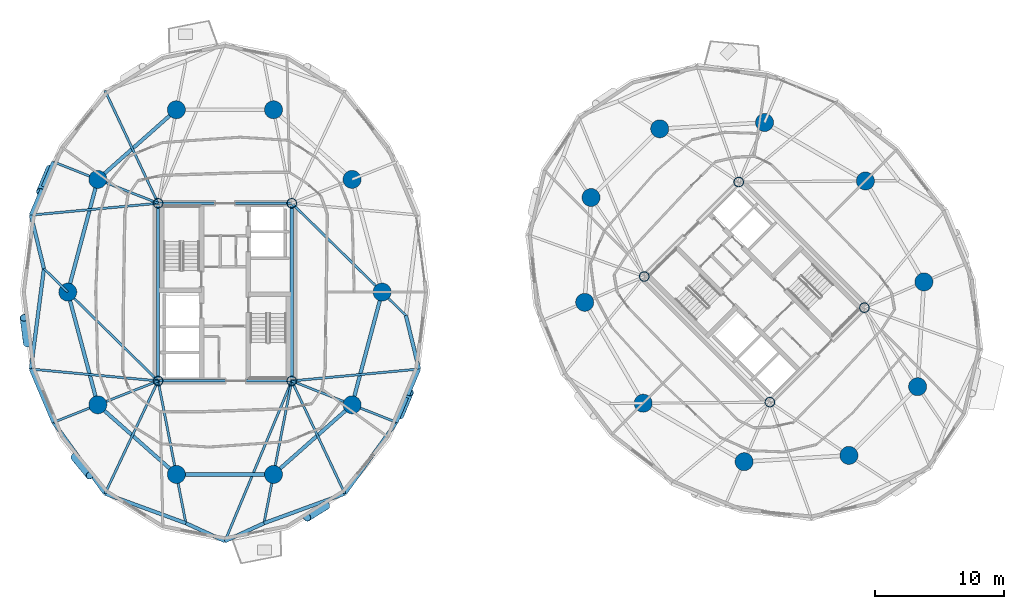
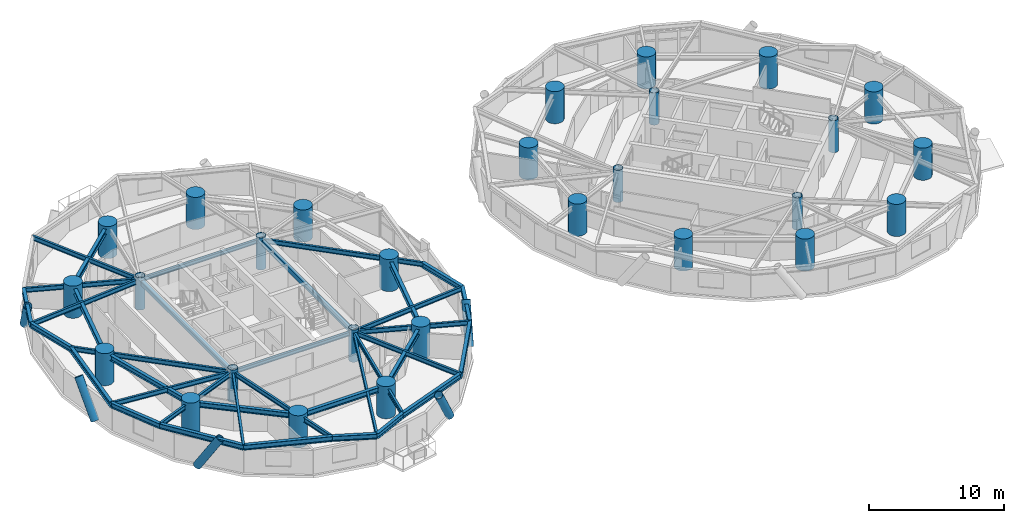
# One storey, part 1 of 18: 38 beams, 28 columns, 5 members.
"""IFC4 building model written with IfcOpenShell, lengths in metres."""

from ifc_helpers import new_model, si_unit, direction, frame, origin, origin_2d, place, context, subcontext, project, spatial, hollow_rectangle, circle, hollow_circle, i_section, extrude, material, material_profile, profile_set, type_object, element, save


model = new_model("IFC4")

# Units and contexts
model_context = context("Model", 3, precision=1e-05, world=origin(), true_north=direction((0.0, 1.0)))
body_context = subcontext(model_context, "Body", "Model", "MODEL_VIEW")
ifc_project = project(units=[si_unit("LENGTHUNIT", "METRE"), si_unit("AREAUNIT", "SQUARE_METRE"), si_unit("VOLUMEUNIT", "CUBIC_METRE"), si_unit("PLANEANGLEUNIT", "RADIAN"), si_unit("MASSUNIT", "GRAM", prefix="KILO")], contexts=[model_context])

# Site, building, storey
site_placement = place(None, origin())
site = spatial("IfcSite", under=ifc_project, at=site_placement, CompositionType="ELEMENT")
building_placement = place(site_placement, origin())
building = spatial("IfcBuilding", under=site, at=building_placement, Name="Cununo Teusaquillo Station Towers", CompositionType="ELEMENT")
storey_placement = place(building_placement, frame((0.0, 0.0, 87.610107421875)))
storey = spatial("IfcBuildingStorey", under=building, at=storey_placement, Name="L27", CompositionType="ELEMENT", Elevation=87.610107421875)

# Columns
ifc_material_1 = material(Name="Steel EN 10025-2 S355J2", Category="steel")
ifc_material_profile_1 = material_profile(ifc_material_1, hollow_circle(Radius=0.3798828125, WallThickness=0.031982421875, at=origin_2d()), Name="CHS 760x32")
ifc_profile_set_1 = profile_set([ifc_material_profile_1], Name="Steel EN 10025-2 S355J2")
column_type_1 = type_object("IfcColumnType", Name="COL-CORE-Z2", PredefinedType="COLUMN", material=ifc_profile_set_1)
for number, where, z_axis, x_axis, name in (
    (1, (11.324951171875, 17.6201171875, 0.0), (0.0, 0.0, 1.0), (1.0, 0.0, 0.0), "L27 Tower A Core Column 1"),
    (2, (11.324951171875, 31.3798828125, 0.0), (0.0, 0.0, 1.0), (1.0, 0.0, 0.0), "L27 Tower A Core Column 2"),
    (3, (21.675048828125, 17.6201171875, 0.0), (0.0, 0.0, 1.0), (1.0, 0.0, 0.0), "L27 Tower A Core Column 3"),
    (4, (21.675048828125, 31.3798828125, 0.0), (0.0, 0.0, 1.0), (1.0, 0.0, 0.0), "L27 Tower A Core Column 4"),
    (5, (58.70556640625, 15.975830078125, 0.0), (0.0, 0.0, 1.0), (0.707106781187, 0.707106781187, 0.0), "L27 Tower B Core Column 1"),
    (6, (48.975830078125, 25.70556640625, 0.0), (0.0, 0.0, 1.0), (0.707106781187, 0.707106781187, 0.0), "L27 Tower B Core Column 2"),
    (7, (66.024169921875, 23.29443359375, 0.0), (0.0, 0.0, 1.0), (0.707106781187, 0.707106781187, 0.0), "L27 Tower B Core Column 3"),
    (8, (56.29443359375, 33.024169921875, 0.0), (0.0, 0.0, 1.0), (0.707106781187, 0.707106781187, 0.0), "L27 Tower B Core Column 4"),
):
    element("IfcColumn", number, at=place(storey_placement, frame(where, z_axis=z_axis, x_axis=x_axis)), inside=storey, type_object=column_type_1, Name=name, PredefinedType="COLUMN", context=body_context, shape_type="SweptSolid", body=[
        extrude(hollow_circle(Radius=0.3798828125, WallThickness=0.031982421875, at=origin_2d()), origin(), (0.0, 0.0, 1.0), 2.909912109375),
    ])
ifc_material_2 = material(Name="Concrete C60/75", Category="concrete")
ifc_material_profile_2 = material_profile(ifc_material_2, circle(Radius=0.699951171875, at=origin_2d()), Name="RC-CIRC-1400")
ifc_profile_set_2 = profile_set([ifc_material_profile_2], Name="Concrete C60/75")
column_type_2 = type_object("IfcColumnType", Name="COL-MEGA-Z2", PredefinedType="USERDEFINED", material=ifc_profile_set_2)
for number, where, z_axis, x_axis, name in (
    (9, (28.672119140625, 24.5, 0.0), (0.0, 0.0, 1.0), (1.0, 0.0, 0.0), "L27 Tower A Perimeter Column V00"),
    (10, (26.347412109375, 33.228515625, 0.0), (0.0, 0.0, 1.0), (1.0, 0.0, 0.0), "L27 Tower A Perimeter Column V02"),
    (11, (20.261474609375, 38.623291015625, 0.0), (0.0, 0.0, 1.0), (1.0, 0.0, 0.0), "L27 Tower A Perimeter Column V04"),
    (12, (12.738525390625, 38.623291015625, 0.0), (0.0, 0.0, 1.0), (1.0, 0.0, 0.0), "L27 Tower A Perimeter Column V06"),
    (13, (6.652587890625, 33.228515625, 0.0), (0.0, 0.0, 1.0), (1.0, 0.0, 0.0), "L27 Tower A Perimeter Column V08"),
    (14, (4.327880859375, 24.5, 0.0), (0.0, 0.0, 1.0), (1.0, 0.0, 0.0), "L27 Tower A Perimeter Column V10"),
    (15, (6.652587890625, 15.771484375, 0.0), (0.0, 0.0, 1.0), (1.0, 0.0, 0.0), "L27 Tower A Perimeter Column V12"),
    (16, (12.738525390625, 10.376708984375, 0.0), (0.0, 0.0, 1.0), (1.0, 0.0, 0.0), "L27 Tower A Perimeter Column V14"),
    (17, (20.261474609375, 10.376708984375, 0.0), (0.0, 0.0, 1.0), (1.0, 0.0, 0.0), "L27 Tower A Perimeter Column V16"),
    (18, (26.347412109375, 15.771484375, 0.0), (0.0, 0.0, 1.0), (1.0, 0.0, 0.0), "L27 Tower A Perimeter Column V18"),
    (19, (66.10693359375, 33.10693359375, 0.0), (0.0, 0.0, 1.0), (1.0, 0.0, 0.0), "L27 Tower B Perimeter Column V00"),
    (20, (58.291015625, 37.63525390625, 0.0), (0.0, 0.0, 1.0), (1.0, 0.0, 0.0), "L27 Tower B Perimeter Column V02"),
    (21, (50.173095703125, 37.146240234375, 0.0), (0.0, 0.0, 1.0), (1.0, 0.0, 0.0), "L27 Tower B Perimeter Column V04"),
    (22, (44.853759765625, 31.826904296875, 0.0), (0.0, 0.0, 1.0), (1.0, 0.0, 0.0), "L27 Tower B Perimeter Column V06"),
    (23, (44.36474609375, 23.708984375, 0.0), (0.0, 0.0, 1.0), (1.0, 0.0, 0.0), "L27 Tower B Perimeter Column V08"),
    (24, (48.89306640625, 15.89306640625, 0.0), (0.0, 0.0, 1.0), (1.0, 0.0, 0.0), "L27 Tower B Perimeter Column V10"),
    (25, (56.708984375, 11.36474609375, 0.0), (0.0, 0.0, 1.0), (1.0, 0.0, 0.0), "L27 Tower B Perimeter Column V12"),
    (26, (64.826904296875, 11.853759765625, 0.0), (0.0, 0.0, 1.0), (1.0, 0.0, 0.0), "L27 Tower B Perimeter Column V14"),
    (27, (70.146240234375, 17.173095703125, 0.0), (0.0, 0.0, 1.0), (1.0, 0.0, 0.0), "L27 Tower B Perimeter Column V16"),
    (28, (70.63525390625, 25.291015625, 0.0), (0.0, 0.0, 1.0), (1.0, 0.0, 0.0), "L27 Tower B Perimeter Column V18"),
):
    element("IfcColumn", number, at=place(storey_placement, frame(where, z_axis=z_axis, x_axis=x_axis)), inside=storey, type_object=column_type_2, Name=name, ObjectType="MEGA COLUMN", PredefinedType="USERDEFINED", context=body_context, shape_type="SweptSolid", body=[
        extrude(circle(Radius=0.699951171875, at=origin_2d()), origin(), (0.0, 0.0, 1.0), 2.909912109375),
    ])

# Beams
ifc_material_3 = material(Name="Steel EN 10025-2 S355J2", Category="steel")
ifc_material_profile_3 = material_profile(ifc_material_3, hollow_rectangle(XDim=0.25, YDim=0.449951171875, WallThickness=0.01611328125, at=origin_2d()), Name="RHS 450x250x16")
ifc_profile_set_3 = profile_set([ifc_material_profile_3], Name="Steel EN 10025-2 S355J2")
beam_type_1 = type_object("IfcBeamType", Name="BM-COUP-1", PredefinedType="USERDEFINED", material=ifc_profile_set_3)
for number, where, z_axis, x_axis, name in (
    (29, (11.324951171875, 17.6201171875, 2.44482421875), (0.0, 1.0, 0.0), (-1.0, 0.0, 0.0), "L27 Tower A Core Beam 1"),
    (30, (21.675048828125, 17.6201171875, 2.44482421875), (0.0, 1.0, 0.0), (-1.0, 0.0, 0.0), "L27 Tower A Core Beam 2"),
):
    element("IfcBeam", number, at=place(storey_placement, frame(where, z_axis=z_axis, x_axis=x_axis)), inside=storey, type_object=beam_type_1, Name=name, ObjectType="COUPLING BEAM", PredefinedType="USERDEFINED", context=body_context, shape_type="SweptSolid", body=[
        extrude(hollow_rectangle(XDim=0.25, YDim=0.449951171875, WallThickness=0.01611328125, at=origin_2d()), origin(), (0.0, 0.0, 1.0), 13.759765625),
    ])
ifc_material_4 = material(Name="Steel ASTM A572 Grade 50", Category="steel")
ifc_material_profile_4 = material_profile(ifc_material_4, i_section(OverallWidth=0.180908203125, OverallDepth=0.4169921875, WebThickness=0.010986328125, FlangeThickness=0.018310546875, FilletRadius=0.012939453125, at=origin_2d()), Name="W16X57")
ifc_profile_set_4 = profile_set([ifc_material_profile_4], Name="Steel ASTM A572 Grade 50")
beam_type_2 = type_object("IfcBeamType", Name="BM-JOIST-1", PredefinedType="JOIST", material=ifc_profile_set_4)
beam_1_placement = place(storey_placement, frame((11.324951171875, 31.3798828125, 2.46142578125), z_axis=(-0.426319838016, 0.904572493344, 0.0), x_axis=(-0.904572493344, -0.426319838016, 0.0)))
element("IfcBeam", 31, at=beam_1_placement, inside=storey, type_object=beam_type_2, Name="L27 Tower A Radial Spandrel Joist V07", PredefinedType="JOIST", context=body_context, shape_type="SweptSolid", body=[
    extrude(i_section(OverallWidth=0.180908203125, OverallDepth=0.4169921875, WebThickness=0.010986328125, FlangeThickness=0.018310546875, FilletRadius=0.012939453125, at=origin_2d()), origin(), (0.0, 0.0, 1.0), 9.646728515625),
])
for number, where, z_axis, x_axis, name in (
    (32, (11.324951171875, 31.3798828125, 2.46142578125), (-0.995678537907, -0.09286683558, 0.0), (0.09286683558, -0.995678537907, 0.0), "L27 Tower A Radial Spandrel Joist V09"),
    (33, (11.324951171875, 17.6201171875, 2.46142578125), (-0.995678537907, 0.09286683558, 0.0), (-0.09286683558, -0.995678537907, 0.0), "L27 Tower A Radial Spandrel Joist V11"),
):
    element("IfcBeam", number, at=place(storey_placement, frame(where, z_axis=z_axis, x_axis=x_axis)), inside=storey, type_object=beam_type_2, Name=name, PredefinedType="JOIST", context=body_context, shape_type="SweptSolid", body=[
        extrude(i_section(OverallWidth=0.180908203125, OverallDepth=0.4169921875, WebThickness=0.010986328125, FlangeThickness=0.018310546875, FilletRadius=0.012939453125, at=origin_2d()), origin(), (0.0, 0.0, 1.0), 9.895263671875),
    ])
beam_2_placement = place(storey_placement, frame((11.324951171875, 17.6201171875, 2.46142578125), z_axis=(-0.426319838016, -0.904572493344, 0.0), x_axis=(0.904572493344, -0.426319838016, 0.0)))
element("IfcBeam", 34, at=beam_2_placement, inside=storey, type_object=beam_type_2, Name="L27 Tower A Radial Spandrel Joist V13", PredefinedType="JOIST", context=body_context, shape_type="SweptSolid", body=[
    extrude(i_section(OverallWidth=0.180908203125, OverallDepth=0.4169921875, WebThickness=0.010986328125, FlangeThickness=0.018310546875, FilletRadius=0.012939453125, at=origin_2d()), origin(), (0.0, 0.0, 1.0), 9.646728515625),
])
beam_3_placement = place(storey_placement, frame((21.675048828125, 17.6201171875, 2.46142578125), z_axis=(-0.38487837995, -0.922967297713, 0.0), x_axis=(0.922967297713, -0.38487837995, 0.0)))
element("IfcBeam", 35, at=beam_3_placement, inside=storey, type_object=beam_type_2, Name="L27 Tower A Radial Spandrel Joist V15", PredefinedType="JOIST", context=body_context, shape_type="SweptSolid", body=[
    extrude(i_section(OverallWidth=0.180908203125, OverallDepth=0.4169921875, WebThickness=0.010986328125, FlangeThickness=0.018310546875, FilletRadius=0.012939453125, at=origin_2d()), origin(), (0.0, 0.0, 1.0), 13.446044921875),
])
beam_4_placement = place(storey_placement, frame((21.675048828125, 17.6201171875, 2.46142578125), z_axis=(0.426319838016, -0.904572493344, 0.0), x_axis=(0.904572493344, 0.426319838016, 0.0)))
element("IfcBeam", 36, at=beam_4_placement, inside=storey, type_object=beam_type_2, Name="L27 Tower A Radial Spandrel Joist V17", PredefinedType="JOIST", context=body_context, shape_type="SweptSolid", body=[
    extrude(i_section(OverallWidth=0.180908203125, OverallDepth=0.4169921875, WebThickness=0.010986328125, FlangeThickness=0.018310546875, FilletRadius=0.012939453125, at=origin_2d()), origin(), (0.0, 0.0, 1.0), 9.646728515625),
])
beam_5_placement = place(storey_placement, frame((21.675048828125, 17.6201171875, 2.46142578125), z_axis=(0.995678537907, 0.09286683558, 0.0), x_axis=(-0.09286683558, 0.995678537907, 0.0)))
element("IfcBeam", 37, at=beam_5_placement, inside=storey, type_object=beam_type_2, Name="L27 Tower A Radial Spandrel Joist V19", PredefinedType="JOIST", context=body_context, shape_type="SweptSolid", body=[
    extrude(i_section(OverallWidth=0.180908203125, OverallDepth=0.4169921875, WebThickness=0.010986328125, FlangeThickness=0.018310546875, FilletRadius=0.012939453125, at=origin_2d()), origin(), (0.0, 0.0, 1.0), 9.895263671875),
])
ifc_material_5 = material(Name="Steel ASTM A572 Grade 50", Category="steel")
ifc_material_profile_5 = material_profile(ifc_material_5, i_section(OverallWidth=0.2041015625, OverallDepth=0.35009765625, WebThickness=0.008544921875, FlangeThickness=0.01513671875, FilletRadius=0.011962890625, at=origin_2d()), Name="W14X48")
ifc_profile_set_5 = profile_set([ifc_material_profile_5], Name="Steel ASTM A572 Grade 50")
beam_type_3 = type_object("IfcBeamType", Name="BM-LINTEL-1", PredefinedType="LINTEL", material=ifc_profile_set_5)
for number, where, z_axis, x_axis, name in (
    (38, (11.324951171875, 17.6201171875, 2.494873046875), (1.0, 0.0, 0.0), (0.0, 1.0, 0.0), "L27 Tower A Core Beam 3"),
    (39, (11.324951171875, 31.3798828125, 2.494873046875), (1.0, 0.0, 0.0), (0.0, 1.0, 0.0), "L27 Tower A Core Beam 4"),
):
    element("IfcBeam", number, at=place(storey_placement, frame(where, z_axis=z_axis, x_axis=x_axis)), inside=storey, type_object=beam_type_3, Name=name, PredefinedType="LINTEL", context=body_context, shape_type="SweptSolid", body=[
        extrude(i_section(OverallWidth=0.2041015625, OverallDepth=0.35009765625, WebThickness=0.008544921875, FlangeThickness=0.01513671875, FilletRadius=0.011962890625, at=origin_2d()), origin(), (0.0, 0.0, 1.0), 10.35009765625),
    ])
ifc_material_6 = material(Name="Steel ASTM A572 Grade 50", Category="steel")
ifc_material_profile_6 = material_profile(ifc_material_6, i_section(OverallWidth=0.180908203125, OverallDepth=0.4169921875, WebThickness=0.010986328125, FlangeThickness=0.018310546875, FilletRadius=0.012939453125, at=origin_2d()), Name="W16X57")
ifc_profile_set_6 = profile_set([ifc_material_profile_6], Name="Steel ASTM A572 Grade 50")
beam_type_4 = type_object("IfcBeamType", Name="BM-RAD-G2", PredefinedType="BEAM", material=ifc_profile_set_6)
beam_6_placement = place(storey_placement, frame((21.675048828125, 31.3798828125, 2.46142578125), z_axis=(0.713047137857, -0.701116095375, 0.0), x_axis=(0.701116095375, 0.713047137857, 0.0)))
element("IfcBeam", 40, at=beam_6_placement, inside=storey, type_object=beam_type_4, Name="L27 Tower A Continuous Overhanging Radial Girder 01", PredefinedType="BEAM", context=body_context, shape_type="SweptSolid", body=[
    extrude(i_section(OverallWidth=0.180908203125, OverallDepth=0.4169921875, WebThickness=0.010986328125, FlangeThickness=0.018310546875, FilletRadius=0.012939453125, at=origin_2d()), origin(), (0.0, 0.0, 1.0), 12.400390625),
])
beam_7_placement = place(storey_placement, frame((11.324951171875, 31.3798828125, 2.46142578125), z_axis=(-0.929863123823, 0.367905654963, 0.0), x_axis=(-0.367905654963, -0.929863123823, 0.0)))
element("IfcBeam", 41, at=beam_7_placement, inside=storey, type_object=beam_type_4, Name="L27 Tower A Continuous Overhanging Radial Girder 05", PredefinedType="BEAM", context=body_context, shape_type="SweptSolid", body=[
    extrude(i_section(OverallWidth=0.180908203125, OverallDepth=0.4169921875, WebThickness=0.010986328125, FlangeThickness=0.018310546875, FilletRadius=0.012939453125, at=origin_2d()), origin(), (0.0, 0.0, 1.0), 8.715087890625),
])
beam_8_placement = place(storey_placement, frame((11.324951171875, 17.6201171875, 2.46142578125), z_axis=(-0.713052701438, 0.701110437073, 0.0), x_axis=(-0.701110437073, -0.713052701438, 0.0)))
element("IfcBeam", 42, at=beam_8_placement, inside=storey, type_object=beam_type_4, Name="L27 Tower A Radial Girder 06A", PredefinedType="BEAM", context=body_context, shape_type="SweptSolid", body=[
    extrude(i_section(OverallWidth=0.180908203125, OverallDepth=0.4169921875, WebThickness=0.010986328125, FlangeThickness=0.018310546875, FilletRadius=0.012939453125, at=origin_2d()), origin(), (0.0, 0.0, 1.0), 9.812744140625),
])
beam_9_placement = place(storey_placement, frame((4.327880859375, 24.5, 2.46142578125), z_axis=(-0.7130260383, 0.701137553342, 0.0), x_axis=(-0.701137553342, -0.7130260383, 0.0)))
element("IfcBeam", 43, at=beam_9_placement, inside=storey, type_object=beam_type_4, Name="L27 Tower A Perimeter Overhang Girder 06B", PredefinedType="BEAM", context=body_context, shape_type="SweptSolid", body=[
    extrude(i_section(OverallWidth=0.180908203125, OverallDepth=0.4169921875, WebThickness=0.010986328125, FlangeThickness=0.018310546875, FilletRadius=0.012939453125, at=origin_2d()), origin(), (0.0, 0.0, 1.0), 2.58740234375),
])
beam_10_placement = place(storey_placement, frame((11.324951171875, 17.6201171875, 2.46142578125), z_axis=(-0.929863123823, -0.367905654963, 0.0), x_axis=(0.367905654963, -0.929863123823, 0.0)))
element("IfcBeam", 44, at=beam_10_placement, inside=storey, type_object=beam_type_4, Name="L27 Tower A Continuous Overhanging Radial Girder 07", PredefinedType="BEAM", context=body_context, shape_type="SweptSolid", body=[
    extrude(i_section(OverallWidth=0.180908203125, OverallDepth=0.4169921875, WebThickness=0.010986328125, FlangeThickness=0.018310546875, FilletRadius=0.012939453125, at=origin_2d()), origin(), (0.0, 0.0, 1.0), 8.715087890625),
])
for number, where, z_axis, x_axis, name in (
    (45, (11.324951171875, 17.6201171875, 2.46142578125), (0.191552755713, -0.981482318628, 0.0), (0.981482318628, 0.191552755713, 0.0), "L27 Tower A Continuous Overhanging Radial Girder 08"),
    (46, (21.675048828125, 17.6201171875, 2.46142578125), (-0.191552755713, -0.981482318628, 0.0), (0.981482318628, -0.191552755713, 0.0), "L27 Tower A Continuous Overhanging Radial Girder 09"),
):
    element("IfcBeam", number, at=place(storey_placement, frame(where, z_axis=z_axis, x_axis=x_axis)), inside=storey, type_object=beam_type_4, Name=name, PredefinedType="BEAM", context=body_context, shape_type="SweptSolid", body=[
        extrude(i_section(OverallWidth=0.180908203125, OverallDepth=0.4169921875, WebThickness=0.010986328125, FlangeThickness=0.018310546875, FilletRadius=0.012939453125, at=origin_2d()), origin(), (0.0, 0.0, 1.0), 11.22998046875),
    ])
beam_11_placement = place(storey_placement, frame((21.675048828125, 17.6201171875, 2.46142578125), z_axis=(0.929863123823, -0.367905654963, 0.0), x_axis=(0.367905654963, 0.929863123823, 0.0)))
element("IfcBeam", 47, at=beam_11_placement, inside=storey, type_object=beam_type_4, Name="L27 Tower A Continuous Overhanging Radial Girder 10", PredefinedType="BEAM", context=body_context, shape_type="SweptSolid", body=[
    extrude(i_section(OverallWidth=0.180908203125, OverallDepth=0.4169921875, WebThickness=0.010986328125, FlangeThickness=0.018310546875, FilletRadius=0.012939453125, at=origin_2d()), origin(), (0.0, 0.0, 1.0), 8.715087890625),
])
ifc_material_7 = material(Name="Steel ASTM A572 Grade 50", Category="steel")
ifc_material_profile_7 = material_profile(ifc_material_7, i_section(OverallWidth=0.280029296875, OverallDepth=0.462890625, WebThickness=0.0107421875, FlangeThickness=0.017333984375, FilletRadius=0.013916015625, at=origin_2d()), Name="W18X76")
ifc_profile_set_7 = profile_set([ifc_material_profile_7], Name="Steel ASTM A572 Grade 50")
beam_type_5 = type_object("IfcBeamType", Name="BM-RING-Z2", PredefinedType="SPANDREL", material=ifc_profile_set_7)
beam_12_placement = place(storey_placement, frame((12.738525390625, 38.623291015625, 2.4384765625), z_axis=(-0.74832120039, -0.66333655187, 0.0), x_axis=(0.66333655187, -0.74832120039, 0.0)))
element("IfcBeam", 48, at=beam_12_placement, inside=storey, type_object=beam_type_5, Name="L27 Tower A Structural Column Ring Girder 04", PredefinedType="SPANDREL", context=body_context, shape_type="SweptSolid", body=[
    extrude(i_section(OverallWidth=0.280029296875, OverallDepth=0.462890625, WebThickness=0.0107421875, FlangeThickness=0.017333984375, FilletRadius=0.013916015625, at=origin_2d()), origin(), (0.0, 0.0, 1.0), 8.1328125),
])
for number, where, z_axis, x_axis, name in (
    (49, (6.652587890625, 33.228515625, 2.4384765625), (-0.257363196347, -0.966314744359, 0.0), (0.966314744359, -0.257363196347, 0.0), "L27 Tower A Structural Column Ring Girder 05"),
    (50, (4.327880859375, 24.5, 2.4384765625), (0.257363196347, -0.966314744359, 0.0), (0.966314744359, 0.257363196347, 0.0), "L27 Tower A Structural Column Ring Girder 06"),
):
    element("IfcBeam", number, at=place(storey_placement, frame(where, z_axis=z_axis, x_axis=x_axis)), inside=storey, type_object=beam_type_5, Name=name, PredefinedType="SPANDREL", context=body_context, shape_type="SweptSolid", body=[
        extrude(i_section(OverallWidth=0.280029296875, OverallDepth=0.462890625, WebThickness=0.0107421875, FlangeThickness=0.017333984375, FilletRadius=0.013916015625, at=origin_2d()), origin(), (0.0, 0.0, 1.0), 9.03271484375),
    ])
beam_13_placement = place(storey_placement, frame((6.652587890625, 15.771484375, 2.4384765625), z_axis=(0.74832120039, -0.66333655187, 0.0), x_axis=(0.66333655187, 0.74832120039, 0.0)))
element("IfcBeam", 51, at=beam_13_placement, inside=storey, type_object=beam_type_5, Name="L27 Tower A Structural Column Ring Girder 07", PredefinedType="SPANDREL", context=body_context, shape_type="SweptSolid", body=[
    extrude(i_section(OverallWidth=0.280029296875, OverallDepth=0.462890625, WebThickness=0.0107421875, FlangeThickness=0.017333984375, FilletRadius=0.013916015625, at=origin_2d()), origin(), (0.0, 0.0, 1.0), 8.1328125),
])
beam_14_placement = place(storey_placement, frame((12.738525390625, 10.376708984375, 2.4384765625), z_axis=(1.0, 0.0, 0.0), x_axis=(0.0, 1.0, 0.0)))
element("IfcBeam", 52, at=beam_14_placement, inside=storey, type_object=beam_type_5, Name="L27 Tower A Structural Column Ring Girder 08", PredefinedType="SPANDREL", context=body_context, shape_type="SweptSolid", body=[
    extrude(i_section(OverallWidth=0.280029296875, OverallDepth=0.462890625, WebThickness=0.0107421875, FlangeThickness=0.017333984375, FilletRadius=0.013916015625, at=origin_2d()), origin(), (0.0, 0.0, 1.0), 7.52294921875),
])
beam_15_placement = place(storey_placement, frame((20.261474609375, 10.376708984375, 2.4384765625), z_axis=(0.74832120039, 0.66333655187, 0.0), x_axis=(-0.66333655187, 0.74832120039, 0.0)))
element("IfcBeam", 53, at=beam_15_placement, inside=storey, type_object=beam_type_5, Name="L27 Tower A Structural Column Ring Girder 09", PredefinedType="SPANDREL", context=body_context, shape_type="SweptSolid", body=[
    extrude(i_section(OverallWidth=0.280029296875, OverallDepth=0.462890625, WebThickness=0.0107421875, FlangeThickness=0.017333984375, FilletRadius=0.013916015625, at=origin_2d()), origin(), (0.0, 0.0, 1.0), 8.1328125),
])
beam_16_placement = place(storey_placement, frame((26.347412109375, 15.771484375, 2.4384765625), z_axis=(0.257363196347, 0.966314744359, 0.0), x_axis=(-0.966314744359, 0.257363196347, 0.0)))
element("IfcBeam", 54, at=beam_16_placement, inside=storey, type_object=beam_type_5, Name="L27 Tower A Structural Column Ring Girder 10", PredefinedType="SPANDREL", context=body_context, shape_type="SweptSolid", body=[
    extrude(i_section(OverallWidth=0.280029296875, OverallDepth=0.462890625, WebThickness=0.0107421875, FlangeThickness=0.017333984375, FilletRadius=0.013916015625, at=origin_2d()), origin(), (0.0, 0.0, 1.0), 9.03271484375),
])
beam_17_placement = place(storey_placement, frame((3.22119140625, 34.586181640625, 2.4384765625), z_axis=(-0.390299356049, -0.920688010494, 0.0), x_axis=(0.920688010494, -0.390299356049, 0.0)))
element("IfcBeam", 55, at=beam_17_placement, inside=storey, type_object=beam_type_5, Name="L27 Tower A Spandrel Ring Beam 09", PredefinedType="SPANDREL", context=body_context, shape_type="SweptSolid", body=[
    extrude(i_section(OverallWidth=0.280029296875, OverallDepth=0.462890625, WebThickness=0.0107421875, FlangeThickness=0.017333984375, FilletRadius=0.013916015625, at=origin_2d()), origin(), (0.0, 0.0, 1.0), 4.480712890625),
])
beam_18_placement = place(storey_placement, frame((1.472412109375, 30.4609375, 2.4384765625), z_axis=(0.236757334703, -0.971568816124, 0.0), x_axis=(0.971568816124, 0.236757334703, 0.0)))
element("IfcBeam", 56, at=beam_18_placement, inside=storey, type_object=beam_type_5, Name="L27 Tower A Spandrel Ring Beam 10", PredefinedType="SPANDREL", context=body_context, shape_type="SweptSolid", body=[
    extrude(i_section(OverallWidth=0.280029296875, OverallDepth=0.462890625, WebThickness=0.0107421875, FlangeThickness=0.017333984375, FilletRadius=0.013916015625, at=origin_2d()), origin(), (0.0, 0.0, 1.0), 4.26806640625),
])
beam_19_placement = place(storey_placement, frame((2.48291015625, 26.314208984375, 2.4384765625), z_axis=(-0.12888124113, -0.991660035337, 0.0), x_axis=(0.991660035337, -0.12888124113, 0.0)))
element("IfcBeam", 57, at=beam_19_placement, inside=storey, type_object=beam_type_5, Name="L27 Tower A Spandrel Ring Beam 11", PredefinedType="SPANDREL", context=body_context, shape_type="SweptSolid", body=[
    extrude(i_section(OverallWidth=0.280029296875, OverallDepth=0.462890625, WebThickness=0.0107421875, FlangeThickness=0.017333984375, FilletRadius=0.013916015625, at=origin_2d()), origin(), (0.0, 0.0, 1.0), 7.840576171875),
])
beam_20_placement = place(storey_placement, frame((1.472412109375, 18.5390625, 2.4384765625), z_axis=(0.390299356049, -0.920688010494, 0.0), x_axis=(0.920688010494, 0.390299356049, 0.0)))
element("IfcBeam", 58, at=beam_20_placement, inside=storey, type_object=beam_type_5, Name="L27 Tower A Spandrel Ring Beam 12", PredefinedType="SPANDREL", context=body_context, shape_type="SweptSolid", body=[
    extrude(i_section(OverallWidth=0.280029296875, OverallDepth=0.462890625, WebThickness=0.0107421875, FlangeThickness=0.017333984375, FilletRadius=0.013916015625, at=origin_2d()), origin(), (0.0, 0.0, 1.0), 4.480712890625),
])
beam_21_placement = place(storey_placement, frame((3.22119140625, 14.413818359375, 2.4384765625), z_axis=(0.58594455724, -0.810351143543, 0.0), x_axis=(0.810351143543, 0.58594455724, 0.0)))
element("IfcBeam", 59, at=beam_21_placement, inside=storey, type_object=beam_type_5, Name="L27 Tower A Spandrel Ring Beam 13", PredefinedType="SPANDREL", context=body_context, shape_type="SweptSolid", body=[
    extrude(i_section(OverallWidth=0.280029296875, OverallDepth=0.462890625, WebThickness=0.0107421875, FlangeThickness=0.017333984375, FilletRadius=0.013916015625, at=origin_2d()), origin(), (0.0, 0.0, 1.0), 6.8115234375),
])
beam_22_placement = place(storey_placement, frame((7.21240234375, 8.89404296875, 2.4384765625), z_axis=(0.938914161016, -0.34415141761, 0.0), x_axis=(0.34415141761, 0.938914161016, 0.0)))
element("IfcBeam", 60, at=beam_22_placement, inside=storey, type_object=beam_type_5, Name="L27 Tower A Spandrel Ring Beam 14", PredefinedType="SPANDREL", context=body_context, shape_type="SweptSolid", body=[
    extrude(i_section(OverallWidth=0.280029296875, OverallDepth=0.462890625, WebThickness=0.0107421875, FlangeThickness=0.017333984375, FilletRadius=0.013916015625, at=origin_2d()), origin(), (0.0, 0.0, 1.0), 6.671142578125),
])
for number, where, z_axis, x_axis, name in (
    (61, (13.47607421875, 6.59814453125, 2.4384765625), (0.908812215281, -0.417205413862, 0.0), (0.417205413862, 0.908812215281, 0.0), "L27 Tower A Spandrel Ring Beam 15"),
    (62, (16.5, 5.2099609375, 2.4384765625), (0.908812215281, 0.417205413862, 0.0), (-0.417205413862, 0.908812215281, 0.0), "L27 Tower A Spandrel Ring Beam 16"),
):
    element("IfcBeam", number, at=place(storey_placement, frame(where, z_axis=z_axis, x_axis=x_axis)), inside=storey, type_object=beam_type_5, Name=name, PredefinedType="SPANDREL", context=body_context, shape_type="SweptSolid", body=[
        extrude(i_section(OverallWidth=0.280029296875, OverallDepth=0.462890625, WebThickness=0.0107421875, FlangeThickness=0.017333984375, FilletRadius=0.013916015625, at=origin_2d()), origin(), (0.0, 0.0, 1.0), 3.327392578125),
    ])
beam_23_placement = place(storey_placement, frame((19.52392578125, 6.59814453125, 2.4384765625), z_axis=(0.938914161016, 0.34415141761, 0.0), x_axis=(-0.34415141761, 0.938914161016, 0.0)))
element("IfcBeam", 63, at=beam_23_placement, inside=storey, type_object=beam_type_5, Name="L27 Tower A Spandrel Ring Beam 17", PredefinedType="SPANDREL", context=body_context, shape_type="SweptSolid", body=[
    extrude(i_section(OverallWidth=0.280029296875, OverallDepth=0.462890625, WebThickness=0.0107421875, FlangeThickness=0.017333984375, FilletRadius=0.013916015625, at=origin_2d()), origin(), (0.0, 0.0, 1.0), 6.671142578125),
])
beam_24_placement = place(storey_placement, frame((25.78759765625, 8.89404296875, 2.4384765625), z_axis=(0.58594455724, 0.810351143543, 0.0), x_axis=(-0.810351143543, 0.58594455724, 0.0)))
element("IfcBeam", 64, at=beam_24_placement, inside=storey, type_object=beam_type_5, Name="L27 Tower A Spandrel Ring Beam 18", PredefinedType="SPANDREL", context=body_context, shape_type="SweptSolid", body=[
    extrude(i_section(OverallWidth=0.280029296875, OverallDepth=0.462890625, WebThickness=0.0107421875, FlangeThickness=0.017333984375, FilletRadius=0.013916015625, at=origin_2d()), origin(), (0.0, 0.0, 1.0), 6.8115234375),
])
beam_25_placement = place(storey_placement, frame((29.77880859375, 14.413818359375, 2.4384765625), z_axis=(0.390299356049, 0.920688010494, 0.0), x_axis=(-0.920688010494, 0.390299356049, 0.0)))
element("IfcBeam", 65, at=beam_25_placement, inside=storey, type_object=beam_type_5, Name="L27 Tower A Spandrel Ring Beam 19", PredefinedType="SPANDREL", context=body_context, shape_type="SweptSolid", body=[
    extrude(i_section(OverallWidth=0.280029296875, OverallDepth=0.462890625, WebThickness=0.0107421875, FlangeThickness=0.017333984375, FilletRadius=0.013916015625, at=origin_2d()), origin(), (0.0, 0.0, 1.0), 4.480712890625),
])
beam_26_placement = place(storey_placement, frame((31.527587890625, 18.5390625, 2.4384765625), z_axis=(-0.236757334703, 0.971568816124, 0.0), x_axis=(-0.971568816124, -0.236757334703, 0.0)))
element("IfcBeam", 66, at=beam_26_placement, inside=storey, type_object=beam_type_5, Name="L27 Tower A Spandrel Ring Beam 20", PredefinedType="SPANDREL", context=body_context, shape_type="SweptSolid", body=[
    extrude(i_section(OverallWidth=0.280029296875, OverallDepth=0.462890625, WebThickness=0.0107421875, FlangeThickness=0.017333984375, FilletRadius=0.013916015625, at=origin_2d()), origin(), (0.0, 0.0, 1.0), 4.26806640625),
])

# Members
ifc_material_8 = material(Name="Steel EN 10025-2 S355J2", Category="steel")
ifc_material_profile_8 = material_profile(ifc_material_8, hollow_circle(Radius=0.330078125, WallThickness=0.02490234375, at=origin_2d()), Name="CHS 660x25")
ifc_profile_set_8 = profile_set([ifc_material_profile_8], Name="Steel EN 10025-2 S355J2")
member_type = type_object("IfcMemberType", Name="MBR-DIAG-Z2", PredefinedType="BRACE", material=ifc_profile_set_8)
member_1_placement = place(storey_placement, frame((2.968505859375, 34.0458984375, -0.14013671875), z_axis=(-0.213813667787, -0.512343325357, 0.831737958993), x_axis=(0.922861086318, -0.385132983993, 0.0)))
element("IfcMember", 67, at=member_1_placement, inside=storey, type_object=member_type, Name="L27 Tower A Folded-Zigzag Diagrid Tube C08", PredefinedType="BRACE", context=body_context, shape_type="SweptSolid", body=[
    extrude(hollow_circle(Radius=0.330078125, WallThickness=0.02490234375, at=origin_2d()), origin(), (0.0, 0.0, 1.0), 3.49853515625),
])
member_2_placement = place(storey_placement, frame((1.214599609375, 20.526123046875, -0.14013671875), z_axis=(-0.072974421894, 0.562372959635, 0.82365732439), x_axis=(-0.991685812096, -0.128682749763, 0.0)))
element("IfcMember", 68, at=member_2_placement, inside=storey, type_object=member_type, Name="L27 Tower A Folded-Zigzag Diagrid Tube C10", PredefinedType="BRACE", context=body_context, shape_type="SweptSolid", body=[
    extrude(hollow_circle(Radius=0.330078125, WallThickness=0.02490234375, at=origin_2d()), origin(), (0.0, 0.0, 1.0), 3.532958984375),
])
member_3_placement = place(storey_placement, frame((4.8818359375, 11.739013671875, -0.14013671875), z_axis=(0.338530760711, -0.4132160511, 0.845369398054), x_axis=(0.773548952929, 0.633736552065, 0.0)))
element("IfcMember", 69, at=member_3_placement, inside=storey, type_object=member_type, Name="L27 Tower A Folded-Zigzag Diagrid Tube C12", PredefinedType="BRACE", context=body_context, shape_type="SweptSolid", body=[
    extrude(hollow_circle(Radius=0.330078125, WallThickness=0.02490234375, at=origin_2d()), origin(), (0.0, 0.0, 1.0), 3.442138671875),
])
member_4_placement = place(storey_placement, frame((24.3193359375, 7.980712890625, -0.14013671875), z_axis=(-0.433768032271, -0.269824776975, 0.859674289432), x_axis=(0.528195574716, -0.849122744278, 0.0)))
element("IfcMember", 70, at=member_4_placement, inside=storey, type_object=member_type, Name="L27 Tower A Folded-Zigzag Diagrid Tube C16", PredefinedType="BRACE", context=body_context, shape_type="SweptSolid", body=[
    extrude(hollow_circle(Radius=0.330078125, WallThickness=0.02490234375, at=origin_2d()), origin(), (0.0, 0.0, 1.0), 3.385009765625),
])
member_5_placement = place(storey_placement, frame((30.031494140625, 14.9541015625, -0.14013671875), z_axis=(0.213813667787, 0.512343325357, 0.831737958993), x_axis=(-0.922861086318, 0.385132983993, 0.0)))
element("IfcMember", 71, at=member_5_placement, inside=storey, type_object=member_type, Name="L27 Tower A Folded-Zigzag Diagrid Tube C18", PredefinedType="BRACE", context=body_context, shape_type="SweptSolid", body=[
    extrude(hollow_circle(Radius=0.330078125, WallThickness=0.02490234375, at=origin_2d()), origin(), (0.0, 0.0, 1.0), 3.49853515625),
])

save(model, "model.ifc")
